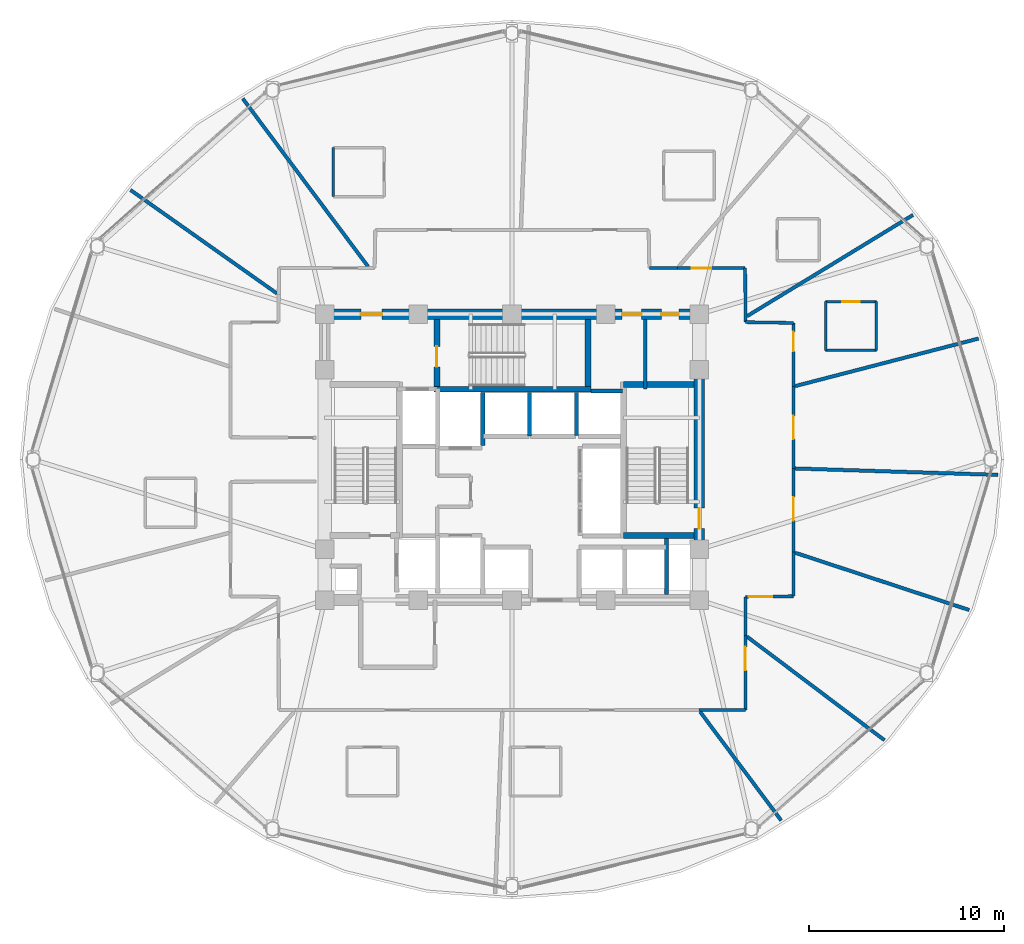
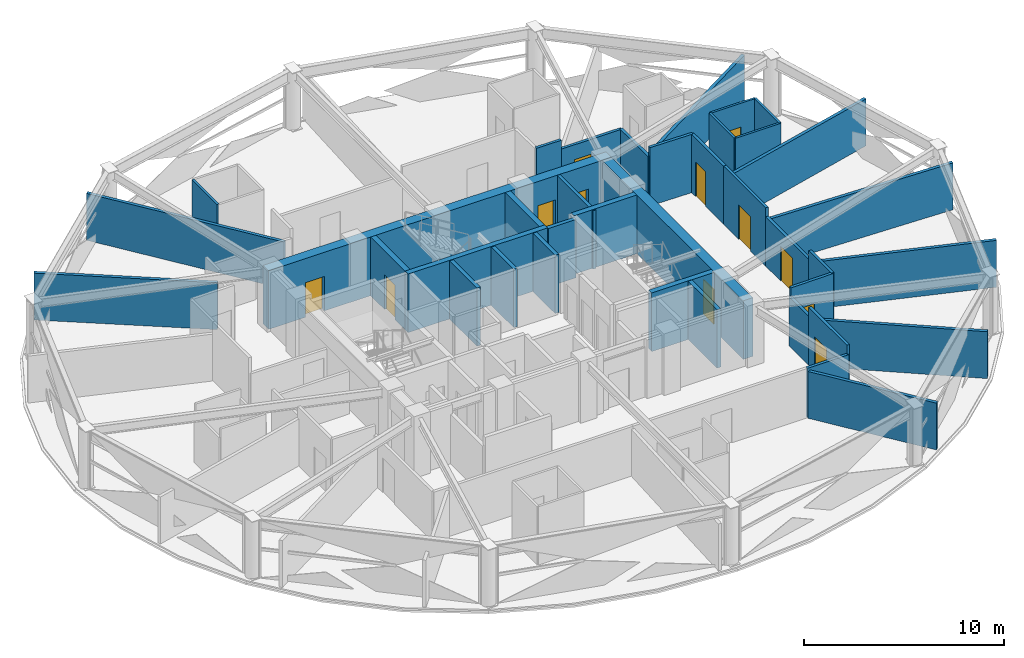
# One storey, part 24 of 29: 38 walls, 12 doors, 12 openings.
"""IFC4 building model written with IfcOpenShell, lengths in metres."""

from ifc_helpers import new_model, si_unit, direction, frame, frame_2d, origin, place, context, subcontext, project, spatial, rectangle, extrude, material, layer, layer_set, type_object, element, fill, save


model = new_model("IFC4")

# Units and contexts
model_context = context("Model", 3, precision=1e-05, world=origin(), true_north=direction((0.0, 1.0)))
body_context = subcontext(model_context, "Body", "Model", "MODEL_VIEW")
ifc_project = project(units=[si_unit("LENGTHUNIT", "METRE"), si_unit("AREAUNIT", "SQUARE_METRE"), si_unit("VOLUMEUNIT", "CUBIC_METRE"), si_unit("PLANEANGLEUNIT", "RADIAN"), si_unit("MASSUNIT", "GRAM", prefix="KILO")], contexts=[model_context])

# Site, building, storey
site_placement = place(None, origin())
site = spatial("IfcSite", under=ifc_project, at=site_placement, CompositionType="ELEMENT")
building_placement = place(site_placement, origin())
building = spatial("IfcBuilding", under=site, at=building_placement, Name="Vantalir Tower", CompositionType="ELEMENT")
storey_placement = place(building_placement, frame((0.0, 0.0, 168.449951171875)))
storey = spatial("IfcBuildingStorey", under=building, at=storey_placement, Name="L42", CompositionType="ELEMENT", Elevation=168.449951171875)

# Wall
ifc_material_1 = material(Name="Moisture-resistant en-suite partition", Category="gypsum")
ifc_layer_1 = layer(ifc_material_1, 0.125)
ifc_layer_set_1 = layer_set([ifc_layer_1], Name="Moisture-resistant en-suite partition")
wall_type_1 = type_object("IfcWallType", Name="WL-BATH-125", PredefinedType="PARTITIONING", material=ifc_layer_set_1)
wall_1_placement = place(storey_placement, frame((47.572998046875, 30.595947265625, 0.0), z_axis=(0.0, 0.0, 1.0), x_axis=(1.0, 0.0, 0.0)))
element("IfcWall", 1, at=wall_1_placement, inside=storey, type_object=wall_type_1, Name="L42 En-suite 01 South Wall", PredefinedType="PARTITIONING", context=body_context, shape_type="SweptSolid", body=[
    extrude(rectangle(XDim=2.60009765625, YDim=0.125, at=frame_2d((1.300048828125, 0.0))), origin(), (0.0, 0.0, 1.0), 3.550048828125),
])

# Wall, opening, door
wall_2_placement = place(storey_placement, frame((47.572998046875, 33.095947265625, 0.0), z_axis=(0.0, 0.0, 1.0), x_axis=(1.0, 0.0, 0.0)))
wall_2 = element("IfcWall", 2, at=wall_2_placement, inside=storey, type_object=wall_type_1, Name="L42 En-suite 01 North Wall", PredefinedType="PARTITIONING", context=body_context, shape_type="SweptSolid", body=[
    extrude(rectangle(XDim=2.60009765625, YDim=0.125, at=frame_2d((1.300048828125, 0.0))), origin(), (0.0, 0.0, 1.0), 3.550048828125),
])
opening_1_placement = place(wall_2_placement, frame((0.85009765625, 0.0, 0.0)))
opening_1 = element("IfcOpeningElement", 3, at=opening_1_placement, cuts=wall_2, Name="Opening D-WC", PredefinedType="OPENING", context=body_context, shape_type="SweptSolid", body=[
    extrude(rectangle(XDim=0.89990234375, YDim=2.10009765625, at=frame_2d((0.449951171875, 1.050048828125))), frame((0.0, 0.072509765625, 0.0), z_axis=(0.0, -1.0, 0.0), x_axis=(1.0, 0.0, 0.0)), (0.0, 0.0, 1.0), 0.14501953125),
])
ifc_material_2 = material(Name="Moisture-resistant hardwood door", Category="wood")
door_type_1 = type_object("IfcDoorType", Name="DR-ENSUITE-900", OperationType="NOTDEFINED", PredefinedType="DOOR", material=ifc_material_2)
door_1_placement = place(opening_1_placement, frame((0.89990234375, 0.0, 0.0), z_axis=(0.0, 0.0, 1.0), x_axis=(-1.0, 0.0, 0.0)))
door_1 = element("IfcDoor", 4, at=door_1_placement, inside=storey, type_object=door_type_1, Name="L42 En-suite 01 Door", OperationType="SINGLE_SWING_RIGHT", OverallHeight=2.10009765625, OverallWidth=0.89990234375, PredefinedType="DOOR", context=body_context, shape_type="SweptSolid", body=[
    extrude(rectangle(XDim=0.89990234375, YDim=2.10009765625, at=frame_2d((0.449951171875, 1.050048828125))), frame((0.0, 0.02490234375, 0.0), z_axis=(0.0, -1.0, 0.0), x_axis=(1.0, 0.0, 0.0)), (0.0, 0.0, 1.0), 0.050048828125),
])
fill(opening_1, door_1)

# Walls
for number, where, z_axis, x_axis, name in (
    (5, (47.572998046875, 30.595947265625, 0.0), (0.0, 0.0, 1.0), (0.0, 1.0, 0.0), "L42 En-suite 01 West Wall"),
    (6, (50.173095703125, 30.595947265625, 0.0), (0.0, 0.0, 1.0), (0.0, 1.0, 0.0), "L42 En-suite 01 East Wall"),
    (7, (22.34912109375, 38.47705078125, 0.0), (0.0, 0.0, 1.0), (0.0, 1.0, 0.0), "L42 En-suite 04 West Wall"),
):
    element("IfcWall", number, at=place(storey_placement, frame(where, z_axis=z_axis, x_axis=x_axis)), inside=storey, type_object=wall_type_1, Name=name, PredefinedType="PARTITIONING", context=body_context, shape_type="SweptSolid", body=[
        extrude(rectangle(XDim=2.5, YDim=0.125, at=frame_2d((1.25, 0.0))), origin(), (0.0, 0.0, 1.0), 3.550048828125),
    ])

# Wall, openings, doors
ifc_material_3 = material(Name="Concrete C60/75", Category="concrete")
ifc_layer_2 = layer(ifc_material_3, 0.550048828125)
ifc_layer_set_2 = layer_set([ifc_layer_2], Name="Concrete C60/75")
wall_type_2 = type_object("IfcWallType", Name="WL-CORE-550", PredefinedType="SHEAR", material=ifc_layer_set_2)
wall_3_placement = place(storey_placement, frame((21.625, 32.449951171875, 0.0), z_axis=(0.0, 0.0, 1.0), x_axis=(1.0, 0.0, 0.0)))
wall_3 = element("IfcWall", 8, at=wall_3_placement, inside=storey, type_object=wall_type_2, Name="L42 Core Shear Wall North", PredefinedType="SHEAR", context=body_context, shape_type="SweptSolid", body=[
    extrude(rectangle(XDim=19.75, YDim=0.550048828125, at=frame_2d((9.875, 0.0))), origin(), (0.0, 0.0, 1.0), 3.570068359375),
])
opening_2_placement = place(wall_3_placement, frame((2.125, 0.0, 0.0)))
opening_2 = element("IfcOpeningElement", 9, at=opening_2_placement, cuts=wall_3, Name="Opening D-FFL", PredefinedType="OPENING", context=body_context, shape_type="SweptSolid", body=[
    extrude(rectangle(XDim=1.10009765625, YDim=2.10009765625, at=frame_2d((0.550048828125, 1.050048828125))), frame((0.0, 0.284912109375, 0.0), z_axis=(0.0, -1.0, 0.0), x_axis=(1.0, 0.0, 0.0)), (0.0, 0.0, 1.0), 0.570068359375),
])
opening_3_placement = place(wall_3_placement, frame((15.514892578125, 0.0, 0.0)))
opening_3 = element("IfcOpeningElement", 10, at=opening_3_placement, cuts=wall_3, Name="Opening D-GUEST", PredefinedType="OPENING", context=body_context, shape_type="SweptSolid", body=[
    extrude(rectangle(XDim=1.0, YDim=2.10009765625, at=frame_2d((0.5, 1.050048828125))), frame((0.0, 0.284912109375, 0.0), z_axis=(0.0, -1.0, 0.0), x_axis=(1.0, 0.0, 0.0)), (0.0, 0.0, 1.0), 0.570068359375),
])
opening_4_placement = place(wall_3_placement, frame((17.52490234375, 0.0, 0.0)))
opening_4 = element("IfcOpeningElement", 11, at=opening_4_placement, cuts=wall_3, Name="Opening D-CR", PredefinedType="OPENING", context=body_context, shape_type="SweptSolid", body=[
    extrude(rectangle(XDim=0.89990234375, YDim=2.10009765625, at=frame_2d((0.449951171875, 1.050048828125))), frame((0.0, 0.284912109375, 0.0), z_axis=(0.0, -1.0, 0.0), x_axis=(1.0, 0.0, 0.0)), (0.0, 0.0, 1.0), 0.570068359375),
])
ifc_material_4 = material(Name="Fire-rated steel core service door", Category="steel")
door_type_2 = type_object("IfcDoorType", Name="DR-CORE-SERV-900", OperationType="NOTDEFINED", PredefinedType="DOOR", material=ifc_material_4)
door_2_placement = place(opening_4_placement, frame((0.89990234375, 0.0, 0.0), z_axis=(0.0, 0.0, 1.0), x_axis=(-1.0, 0.0, 0.0)))
door_2 = element("IfcDoor", 12, at=door_2_placement, inside=storey, type_object=door_type_2, Name="L42 Housekeeping and Linen Room Door", OperationType="SINGLE_SWING_RIGHT", OverallHeight=2.10009765625, OverallWidth=0.89990234375, PredefinedType="DOOR", context=body_context, shape_type="SweptSolid", body=[
    extrude(rectangle(XDim=0.89990234375, YDim=2.10009765625, at=frame_2d((0.449951171875, 1.050048828125))), frame((0.0, 0.02490234375, 0.0), z_axis=(0.0, -1.0, 0.0), x_axis=(1.0, 0.0, 0.0)), (0.0, 0.0, 1.0), 0.050048828125),
])
fill(opening_4, door_2)
ifc_material_5 = material(Name="Fire-rated acoustic steel door", Category="steel")
door_type_3 = type_object("IfcDoorType", Name="DR-FIRE-LOBBY-1100", OperationType="NOTDEFINED", PredefinedType="DOOR", material=ifc_material_5)
door_3_placement = place(opening_2_placement, frame((1.10009765625, 0.0, 0.0), z_axis=(0.0, 0.0, 1.0), x_axis=(-1.0, 0.0, 0.0)))
door_3 = element("IfcDoor", 13, at=door_3_placement, inside=storey, type_object=door_type_3, Name="L42 Firefighting Lobby East Access Door", OperationType="SINGLE_SWING_RIGHT", OverallHeight=2.10009765625, OverallWidth=1.10009765625, PredefinedType="DOOR", context=body_context, shape_type="SweptSolid", body=[
    extrude(rectangle(XDim=1.10009765625, YDim=2.10009765625, at=frame_2d((0.550048828125, 1.050048828125))), frame((0.0, 0.02490234375, 0.0), z_axis=(0.0, -1.0, 0.0), x_axis=(1.0, 0.0, 0.0)), (0.0, 0.0, 1.0), 0.050048828125),
])
fill(opening_2, door_3)
ifc_material_6 = material(Name="Solid-core teak veneer acoustic fire door", Category="wood")
door_type_4 = type_object("IfcDoorType", Name="DR-GUEST-ENTRY-1000", OperationType="NOTDEFINED", PredefinedType="DOOR", material=ifc_material_6)
door_4_placement = place(opening_3_placement, frame((1.0, 0.0, 0.0), z_axis=(0.0, 0.0, 1.0), x_axis=(-1.0, 0.0, 0.0)))
door_4 = element("IfcDoor", 14, at=door_4_placement, inside=storey, type_object=door_type_4, Name="L42 High-Rise Lift Lobby Door", OperationType="SINGLE_SWING_LEFT", OverallHeight=2.10009765625, OverallWidth=1.0, PredefinedType="DOOR", context=body_context, shape_type="SweptSolid", body=[
    extrude(rectangle(XDim=1.0, YDim=2.10009765625, at=frame_2d((0.5, 1.050048828125))), frame((0.0, 0.02490234375, 0.0), z_axis=(0.0, -1.0, 0.0), x_axis=(1.0, 0.0, 0.0)), (0.0, 0.0, 1.0), 0.050048828125),
])
fill(opening_3, door_4)

# Wall, opening, door
wall_4_placement = place(storey_placement, frame((41.10009765625, 18.074951171875, 0.0), z_axis=(0.0, 0.0, 1.0), x_axis=(0.0, 1.0, 0.0)))
wall_4 = element("IfcWall", 15, at=wall_4_placement, inside=storey, type_object=wall_type_2, Name="L42 Core Shear Wall East", PredefinedType="SHEAR", context=body_context, shape_type="SweptSolid", body=[
    extrude(rectangle(XDim=14.10009765625, YDim=0.550048828125, at=frame_2d((7.050048828125, 0.0))), origin(), (0.0, 0.0, 1.0), 3.570068359375),
])
opening_5_placement = place(wall_4_placement, frame((3.385009765625, 0.0, 0.0)))
opening_5 = element("IfcOpeningElement", 16, at=opening_5_placement, cuts=wall_4, Name="Opening D-ST", PredefinedType="OPENING", context=body_context, shape_type="SweptSolid", body=[
    extrude(rectangle(XDim=1.050048828125, YDim=2.10009765625, at=frame_2d((0.52490234375, 1.050048828125))), frame((0.0, 0.284912109375, 0.0), z_axis=(0.0, -1.0, 0.0), x_axis=(1.0, 0.0, 0.0)), (0.0, 0.0, 1.0), 0.570068359375),
])
ifc_material_7 = material(Name="Fire-rated steel door leaf", Category="steel")
door_type_5 = type_object("IfcDoorType", Name="DR-FIRE-STAIR-1050", OperationType="NOTDEFINED", PredefinedType="DOOR", material=ifc_material_7)
door_5_placement = place(opening_5_placement, origin())
door_5 = element("IfcDoor", 17, at=door_5_placement, inside=storey, type_object=door_type_5, Name="L42 Exit Stair ST2 Fire Door", OperationType="SINGLE_SWING_LEFT", OverallHeight=2.10009765625, OverallWidth=1.050048828125, PredefinedType="DOOR", context=body_context, shape_type="SweptSolid", body=[
    extrude(rectangle(XDim=1.050048828125, YDim=2.10009765625, at=frame_2d((0.52490234375, 1.050048828125))), frame((0.0, 0.02490234375, 0.0), z_axis=(0.0, -1.0, 0.0), x_axis=(1.0, 0.0, 0.0)), (0.0, 0.0, 1.0), 0.050048828125),
])
fill(opening_5, door_5)

# Wall
ifc_material_8 = material(Name="Fire-rated hotel corridor acoustic partition", Category="gypsum")
ifc_layer_3 = layer(ifc_material_8, 0.159912109375)
ifc_layer_set_3 = layer_set([ifc_layer_3], Name="Fire-rated hotel corridor acoustic partition")
wall_type_3 = type_object("IfcWallType", Name="WL-CORR-160", PredefinedType="PARTITIONING", material=ifc_layer_set_3)
wall_5_placement = place(storey_placement, frame((38.5400390625, 34.81494140625, 0.0), z_axis=(0.0, 0.0, 1.0), x_axis=(0.999999077601, -0.001358233043, 0.0)))
element("IfcWall", 18, at=wall_5_placement, inside=storey, type_object=wall_type_3, Name="L42 Corridor Partition 12", PredefinedType="PARTITIONING", context=body_context, shape_type="SweptSolid", body=[
    extrude(rectangle(XDim=1.43798828125, YDim=0.159912109375, at=frame_2d((0.718994140625, 0.0))), origin(), (0.0, 0.0, 1.0), 3.550048828125),
])

# Wall, opening, door
wall_6_placement = place(storey_placement, frame((39.97802734375, 34.81298828125, 0.0), z_axis=(0.0, 0.0, 1.0), x_axis=(0.999999009391, -0.001407557195, 0.0)))
wall_6 = element("IfcWall", 19, at=wall_6_placement, inside=storey, type_object=wall_type_3, Name="L42 Corridor Partition 13", PredefinedType="PARTITIONING", context=body_context, shape_type="SweptSolid", body=[
    extrude(rectangle(XDim=3.468994140625, YDim=0.159912109375, at=frame_2d((1.734375, 0.0))), origin(), (0.0, 0.0, 1.0), 3.006103515625),
])
opening_6_placement = place(wall_6_placement, frame((0.73291015625, 0.0, 0.0)))
opening_6 = element("IfcOpeningElement", 20, at=opening_6_placement, cuts=wall_6, Name="Opening D-GUEST", PredefinedType="OPENING", context=body_context, shape_type="SweptSolid", body=[
    extrude(rectangle(XDim=1.0, YDim=2.10009765625, at=frame_2d((0.5, 1.050048828125))), frame((0.0, 0.08984375, 0.0), z_axis=(0.0, -1.0, 0.0), x_axis=(1.0, 0.0, 0.0)), (0.0, 0.0, 1.0), 0.179931640625),
])
door_6_placement = place(opening_6_placement, origin())
door_6 = element("IfcDoor", 21, at=door_6_placement, inside=storey, type_object=door_type_4, Name="L42 Deluxe King Hotel Room 02 Door", OperationType="SINGLE_SWING_RIGHT", OverallHeight=2.10009765625, OverallWidth=1.0, PredefinedType="DOOR", context=body_context, shape_type="SweptSolid", body=[
    extrude(rectangle(XDim=1.0, YDim=2.10009765625, at=frame_2d((0.5, 1.050048828125))), frame((0.0, 0.02490234375, 0.0), z_axis=(0.0, -1.0, 0.0), x_axis=(1.0, 0.0, 0.0)), (0.0, 0.0, 1.0), 0.050048828125),
])
fill(opening_6, door_6)

# Walls
wall_7_placement = place(storey_placement, frame((43.447021484375, 34.80810546875, 0.0), z_axis=(0.0, 0.0, 1.0), x_axis=(0.006526585281, -0.999978701615, 0.0)))
element("IfcWall", 22, at=wall_7_placement, inside=storey, type_object=wall_type_3, Name="L42 Corridor Partition 14", PredefinedType="PARTITIONING", context=body_context, shape_type="SweptSolid", body=[
    extrude(rectangle(XDim=2.76806640625, YDim=0.159912109375, at=frame_2d((1.384033203125, 0.0))), origin(), (0.0, 0.0, 1.0), 3.006103515625),
])
wall_8_placement = place(storey_placement, frame((43.465087890625, 32.0400390625, 0.0), z_axis=(0.0, 0.0, 1.0), x_axis=(0.999867567339, -0.016274144605, 0.0)))
element("IfcWall", 23, at=wall_8_placement, inside=storey, type_object=wall_type_3, Name="L42 Corridor Partition 15", PredefinedType="PARTITIONING", context=body_context, shape_type="SweptSolid", body=[
    extrude(rectangle(XDim=2.460205078125, YDim=0.159912109375, at=frame_2d((1.22998046875, 0.0))), origin(), (0.0, 0.0, 1.0), 3.550048828125),
])

# Wall, opening, door
wall_9_placement = place(storey_placement, frame((45.925048828125, 32.0, 0.0), z_axis=(0.0, 0.0, 1.0), x_axis=(0.0, -1.0, 0.0)))
wall_9 = element("IfcWall", 24, at=wall_9_placement, inside=storey, type_object=wall_type_3, Name="L42 Corridor Partition 16", PredefinedType="PARTITIONING", context=body_context, shape_type="SweptSolid", body=[
    extrude(rectangle(XDim=3.259033203125, YDim=0.159912109375, at=frame_2d((1.62939453125, 0.0))), origin(), (0.0, 0.0, 1.0), 3.550048828125),
])
opening_7_placement = place(wall_9_placement, frame((0.4580078125, 0.0, 0.0)))
opening_7 = element("IfcOpeningElement", 25, at=opening_7_placement, cuts=wall_9, Name="Opening D-GUEST", PredefinedType="OPENING", context=body_context, shape_type="SweptSolid", body=[
    extrude(rectangle(XDim=1.0, YDim=2.10009765625, at=frame_2d((0.5, 1.050048828125))), frame((0.0, 0.08984375, 0.0), z_axis=(0.0, -1.0, 0.0), x_axis=(1.0, 0.0, 0.0)), (0.0, 0.0, 1.0), 0.179931640625),
])
door_7_placement = place(opening_7_placement, origin())
door_7 = element("IfcDoor", 26, at=door_7_placement, inside=storey, type_object=door_type_4, Name="L42 Twin Queen Hotel Room 01 Door", OperationType="SINGLE_SWING_LEFT", OverallHeight=2.10009765625, OverallWidth=1.0, PredefinedType="DOOR", context=body_context, shape_type="SweptSolid", body=[
    extrude(rectangle(XDim=1.0, YDim=2.10009765625, at=frame_2d((0.5, 1.050048828125))), frame((0.0, 0.02490234375, 0.0), z_axis=(0.0, -1.0, 0.0), x_axis=(1.0, 0.0, 0.0)), (0.0, 0.0, 1.0), 0.050048828125),
])
fill(opening_7, door_7)

wall_10_placement = place(storey_placement, frame((45.925048828125, 28.740966796875, 0.0), z_axis=(0.0, 0.0, 1.0), x_axis=(0.0, -1.0, 0.0)))
wall_10 = element("IfcWall", 27, at=wall_10_placement, inside=storey, type_object=wall_type_3, Name="L42 Corridor Partition 17", PredefinedType="PARTITIONING", context=body_context, shape_type="SweptSolid", body=[
    extrude(rectangle(XDim=4.196044921875, YDim=0.159912109375, at=frame_2d((2.09814453125, 0.0))), origin(), (0.0, 0.0, 1.0), 3.550048828125),
])
opening_8_placement = place(wall_10_placement, frame((1.498046875, 0.0, 0.0)))
opening_8 = element("IfcOpeningElement", 28, at=opening_8_placement, cuts=wall_10, Name="Opening D-STE", PredefinedType="OPENING", context=body_context, shape_type="SweptSolid", body=[
    extrude(rectangle(XDim=1.199951171875, YDim=2.10009765625, at=frame_2d((0.60009765625, 1.050048828125))), frame((0.0, 0.08984375, 0.0), z_axis=(0.0, -1.0, 0.0), x_axis=(1.0, 0.0, 0.0)), (0.0, 0.0, 1.0), 0.179931640625),
])
ifc_material_9 = material(Name="Solid-core teak veneer suite entrance door", Category="wood")
door_type_6 = type_object("IfcDoorType", Name="DR-SUITE-ENTRY-1200", OperationType="NOTDEFINED", PredefinedType="DOOR", material=ifc_material_9)
door_8_placement = place(opening_8_placement, origin())
door_8 = element("IfcDoor", 29, at=door_8_placement, inside=storey, type_object=door_type_6, Name="L42 Executive Sky Boardroom 15 Door", OperationType="SINGLE_SWING_LEFT", OverallHeight=2.10009765625, OverallWidth=1.199951171875, PredefinedType="DOOR", context=body_context, shape_type="SweptSolid", body=[
    extrude(rectangle(XDim=1.199951171875, YDim=2.10009765625, at=frame_2d((0.60009765625, 1.050048828125))), frame((0.0, 0.02490234375, 0.0), z_axis=(0.0, -1.0, 0.0), x_axis=(1.0, 0.0, 0.0)), (0.0, 0.0, 1.0), 0.050048828125),
])
fill(opening_8, door_8)

wall_11_placement = place(storey_placement, frame((45.925048828125, 24.544921875, 0.0), z_axis=(0.0, 0.0, 1.0), x_axis=(0.0, -1.0, 0.0)))
wall_11 = element("IfcWall", 30, at=wall_11_placement, inside=storey, type_object=wall_type_3, Name="L42 Corridor Partition 18", PredefinedType="PARTITIONING", context=body_context, shape_type="SweptSolid", body=[
    extrude(rectangle(XDim=4.29296875, YDim=0.159912109375, at=frame_2d((2.146484375, 0.0))), origin(), (0.0, 0.0, 1.0), 3.006103515625),
])
opening_9_placement = place(wall_11_placement, frame((1.47412109375, 0.0, 0.0)))
opening_9 = element("IfcOpeningElement", 31, at=opening_9_placement, cuts=wall_11, Name="Opening D-STE", PredefinedType="OPENING", context=body_context, shape_type="SweptSolid", body=[
    extrude(rectangle(XDim=1.199951171875, YDim=2.10009765625, at=frame_2d((0.60009765625, 1.050048828125))), frame((0.0, 0.08984375, 0.0), z_axis=(0.0, -1.0, 0.0), x_axis=(1.0, 0.0, 0.0)), (0.0, 0.0, 1.0), 0.179931640625),
])
door_9_placement = place(opening_9_placement, origin())
door_9 = element("IfcDoor", 32, at=door_9_placement, inside=storey, type_object=door_type_6, Name="L42 Club Reading Lounge 14 Door", OperationType="SINGLE_SWING_RIGHT", OverallHeight=2.10009765625, OverallWidth=1.199951171875, PredefinedType="DOOR", context=body_context, shape_type="SweptSolid", body=[
    extrude(rectangle(XDim=1.199951171875, YDim=2.10009765625, at=frame_2d((0.60009765625, 1.050048828125))), frame((0.0, 0.02490234375, 0.0), z_axis=(0.0, -1.0, 0.0), x_axis=(1.0, 0.0, 0.0)), (0.0, 0.0, 1.0), 0.050048828125),
])
fill(opening_9, door_9)

# Wall
wall_12_placement = place(storey_placement, frame((45.925048828125, 20.251953125, 0.0), z_axis=(0.0, 0.0, 1.0), x_axis=(0.0, -1.0, 0.0)))
element("IfcWall", 33, at=wall_12_placement, inside=storey, type_object=wall_type_3, Name="L42 Corridor Partition 19", PredefinedType="PARTITIONING", context=body_context, shape_type="SweptSolid", body=[
    extrude(rectangle(XDim=2.255859375, YDim=0.159912109375, at=frame_2d((1.1279296875, 0.0))), origin(), (0.0, 0.0, 1.0), 3.550048828125),
])

# Wall, opening, door
wall_13_placement = place(storey_placement, frame((45.925048828125, 17.99609375, 0.0), z_axis=(0.0, 0.0, 1.0), x_axis=(-0.999892143369, -0.014686784162, 0.0)))
wall_13 = element("IfcWall", 34, at=wall_13_placement, inside=storey, type_object=wall_type_3, Name="L42 Corridor Partition 20", PredefinedType="PARTITIONING", context=body_context, shape_type="SweptSolid", body=[
    extrude(rectangle(XDim=2.460205078125, YDim=0.159912109375, at=frame_2d((1.22998046875, 0.0))), origin(), (0.0, 0.0, 1.0), 3.550048828125),
])
opening_10_placement = place(wall_13_placement, frame((1.10009765625, 0.0, 0.0)))
opening_10 = element("IfcOpeningElement", 35, at=opening_10_placement, cuts=wall_13, Name="Opening D-STE", PredefinedType="OPENING", context=body_context, shape_type="SweptSolid", body=[
    extrude(rectangle(XDim=1.199951171875, YDim=2.10009765625, at=frame_2d((0.60009765625, 1.050048828125))), frame((0.0, 0.08984375, 0.0), z_axis=(0.0, -1.0, 0.0), x_axis=(1.0, 0.0, 0.0)), (0.0, 0.0, 1.0), 0.179931640625),
])
door_10_placement = place(opening_10_placement, origin())
door_10 = element("IfcDoor", 36, at=door_10_placement, inside=storey, type_object=door_type_6, Name="L42 Club Reading Lounge 13 Door", OperationType="SINGLE_SWING_LEFT", OverallHeight=2.10009765625, OverallWidth=1.199951171875, PredefinedType="DOOR", context=body_context, shape_type="SweptSolid", body=[
    extrude(rectangle(XDim=1.199951171875, YDim=2.10009765625, at=frame_2d((0.60009765625, 1.050048828125))), frame((0.0, 0.02490234375, 0.0), z_axis=(0.0, -1.0, 0.0), x_axis=(1.0, 0.0, 0.0)), (0.0, 0.0, 1.0), 0.050048828125),
])
fill(opening_10, door_10)

# Wall
wall_14_placement = place(storey_placement, frame((43.465087890625, 17.9599609375, 0.0), z_axis=(0.0, 0.0, 1.0), x_axis=(-0.001113722858, -0.999999379811, 0.0)))
element("IfcWall", 37, at=wall_14_placement, inside=storey, type_object=wall_type_3, Name="L42 Corridor Partition 21", PredefinedType="PARTITIONING", context=body_context, shape_type="SweptSolid", body=[
    extrude(rectangle(XDim=1.972900390625, YDim=0.159912109375, at=frame_2d((0.986328125, 0.0))), origin(), (0.0, 0.0, 1.0), 3.006103515625),
])

# Wall, opening, door
wall_15_placement = place(storey_placement, frame((43.462890625, 15.987060546875, 0.0), z_axis=(0.0, 0.0, 1.0), x_axis=(-0.001278526092, -0.999999182685, 0.0)))
wall_15 = element("IfcWall", 38, at=wall_15_placement, inside=storey, type_object=wall_type_3, Name="L42 Corridor Partition 22", PredefinedType="PARTITIONING", context=body_context, shape_type="SweptSolid", body=[
    extrude(rectangle(XDim=3.819091796875, YDim=0.159912109375, at=frame_2d((1.90966796875, 0.0))), origin(), (0.0, 0.0, 1.0), 3.550048828125),
])
opening_11_placement = place(wall_15_placement, frame((0.591064453125, 0.0, 0.0)))
opening_11 = element("IfcOpeningElement", 39, at=opening_11_placement, cuts=wall_15, Name="Opening D-STE", PredefinedType="OPENING", context=body_context, shape_type="SweptSolid", body=[
    extrude(rectangle(XDim=1.199951171875, YDim=2.10009765625, at=frame_2d((0.60009765625, 1.050048828125))), frame((0.0, 0.08984375, 0.0), z_axis=(0.0, -1.0, 0.0), x_axis=(1.0, 0.0, 0.0)), (0.0, 0.0, 1.0), 0.179931640625),
])
door_11_placement = place(opening_11_placement, origin())
door_11 = element("IfcDoor", 40, at=door_11_placement, inside=storey, type_object=door_type_6, Name="L42 Executive Business Study 12 Door", OperationType="SINGLE_SWING_RIGHT", OverallHeight=2.10009765625, OverallWidth=1.199951171875, PredefinedType="DOOR", context=body_context, shape_type="SweptSolid", body=[
    extrude(rectangle(XDim=1.199951171875, YDim=2.10009765625, at=frame_2d((0.60009765625, 1.050048828125))), frame((0.0, 0.02490234375, 0.0), z_axis=(0.0, -1.0, 0.0), x_axis=(1.0, 0.0, 0.0)), (0.0, 0.0, 1.0), 0.050048828125),
])
fill(opening_11, door_11)

# Walls
wall_16_placement = place(storey_placement, frame((43.4580078125, 12.16796875, 0.0), z_axis=(0.0, 0.0, 1.0), x_axis=(-0.99999991624, -0.000409290869, 0.0)))
element("IfcWall", 41, at=wall_16_placement, inside=storey, type_object=wall_type_3, Name="L42 Corridor Partition 23", PredefinedType="PARTITIONING", context=body_context, shape_type="SweptSolid", body=[
    extrude(rectangle(XDim=2.385986328125, YDim=0.159912109375, at=frame_2d((1.19287109375, 0.0))), origin(), (0.0, 0.0, 1.0), 3.006103515625),
])
ifc_material_10 = material(Name="Concrete blockwork with fireboard lining", Category="masonry")
ifc_layer_4 = layer(ifc_material_10, 0.219970703125)
ifc_layer_set_4 = layer_set([ifc_layer_4], Name="Concrete blockwork with fireboard lining")
wall_type_4 = type_object("IfcWallType", Name="WL-FFL-220", PredefinedType="PARTITIONING", material=ifc_layer_set_4)
wall_17_placement = place(storey_placement, frame((30.0, 25.7099609375, 0.0), z_axis=(0.0, 0.0, 1.0), x_axis=(0.0, 1.0, 0.0)))
element("IfcWall", 42, at=wall_17_placement, inside=storey, type_object=wall_type_4, Name="L42 Service Lift SV2 East Shaft Wall", PredefinedType="PARTITIONING", context=body_context, shape_type="SweptSolid", body=[
    extrude(rectangle(XDim=2.72998046875, YDim=0.219970703125, at=frame_2d((1.364990234375, 0.0))), origin(), (0.0, 0.0, 1.0), 3.545166015625),
])
wall_18_placement = place(storey_placement, frame((32.39990234375, 26.199951171875, 0.0), z_axis=(0.0, 0.0, 1.0), x_axis=(0.0, 1.0, 0.0)))
element("IfcWall", 43, at=wall_18_placement, inside=storey, type_object=wall_type_4, Name="L42 High-Rise Lift PL-H1/H2 Shaft Divider", PredefinedType="PARTITIONING", context=body_context, shape_type="SweptSolid", body=[
    extrude(rectangle(XDim=2.239990234375, YDim=0.219970703125, at=frame_2d((1.1201171875, 0.0))), origin(), (0.0, 0.0, 1.0), 3.545166015625),
])
wall_19_placement = place(storey_placement, frame((34.800048828125, 26.22998046875, 0.0), z_axis=(0.0, 0.0, 1.0), x_axis=(0.0, 1.0, 0.0)))
element("IfcWall", 44, at=wall_19_placement, inside=storey, type_object=wall_type_4, Name="L42 High-Rise Lift PL-H2/H3 Shaft Divider", PredefinedType="PARTITIONING", context=body_context, shape_type="SweptSolid", body=[
    extrude(rectangle(XDim=2.2099609375, YDim=0.219970703125, at=frame_2d((1.10498046875, 0.0))), origin(), (0.0, 0.0, 1.0), 3.545166015625),
])
wall_20_placement = place(storey_placement, frame((39.419921875, 18.074951171875, 0.0), z_axis=(0.0, 0.0, 1.0), x_axis=(0.0, 1.0, 0.0)))
element("IfcWall", 45, at=wall_20_placement, inside=storey, type_object=wall_type_4, Name="L42 East MEP Riser Wall W", PredefinedType="PARTITIONING", context=body_context, shape_type="SweptSolid", body=[
    extrude(rectangle(XDim=2.875, YDim=0.219970703125, at=frame_2d((1.4375, 0.0))), origin(), (0.0, 0.0, 1.0), 3.550048828125),
])
wall_21_placement = place(storey_placement, frame((35.56005859375, 28.510009765625, 0.0), z_axis=(0.0, 0.0, 1.0), x_axis=(1.0, 0.0, 0.0)))
element("IfcWall", 46, at=wall_21_placement, inside=storey, type_object=wall_type_4, Name="L42 Lift PL-H3 Shaft Front Wall", PredefinedType="PARTITIONING", context=body_context, shape_type="SweptSolid", body=[
    extrude(rectangle(XDim=1.599853515625, YDim=0.219970703125, at=frame_2d((0.7998046875, 0.0))), origin(), (0.0, 0.0, 1.0), 3.550048828125),
])
ifc_material_11 = material(Name="Twin-stud acoustic fire-rated gypsum partition", Category="gypsum")
ifc_layer_5 = layer(ifc_material_11, 0.179931640625)
ifc_layer_set_5 = layer_set([ifc_layer_5], Name="Twin-stud acoustic fire-rated gypsum partition")
wall_type_5 = type_object("IfcWallType", Name="WL-GUEST-180", PredefinedType="PARTITIONING", material=ifc_layer_set_5)
wall_22_placement = place(storey_placement, frame((38.340087890625, 28.6201171875, 0.0), z_axis=(0.0, 0.0, 1.0), x_axis=(0.0, 1.0, 0.0)))
element("IfcWall", 47, at=wall_22_placement, inside=storey, type_object=wall_type_5, Name="L42 High-Rise Lift Lobby East Wall", PredefinedType="PARTITIONING", context=body_context, shape_type="SweptSolid", body=[
    extrude(rectangle(XDim=3.554931640625, YDim=0.179931640625, at=frame_2d((1.77734375, 0.0))), origin(), (0.0, 0.0, 1.0), 3.550048828125),
])
wall_23_placement = place(storey_placement, frame((46.0, 28.760009765625, 0.0), z_axis=(0.0, 0.0, 1.0), x_axis=(0.96796954255, 0.251067649639, 0.0)))
element("IfcWall", 48, at=wall_23_placement, inside=storey, type_object=wall_type_5, Name="L42 Radial Suite Partition 01", PredefinedType="PARTITIONING", context=body_context, shape_type="SweptSolid", body=[
    extrude(rectangle(XDim=9.71826171875, YDim=0.179931640625, at=frame_2d((4.859130859375, 0.0))), origin(), (0.0, 0.0, 1.0), 2.85205078125),
])
wall_24_placement = place(storey_placement, frame((43.5400390625, 32.343994140625, 0.0), z_axis=(0.0, 0.0, 1.0), x_axis=(0.853711993856, 0.520745457537, 0.0)))
element("IfcWall", 49, at=wall_24_placement, inside=storey, type_object=wall_type_5, Name="L42 Radial Suite Partition 02", PredefinedType="PARTITIONING", context=body_context, shape_type="SweptSolid", body=[
    extrude(rectangle(XDim=9.96826171875, YDim=0.179931640625, at=frame_2d((4.984130859375, 0.0))), origin(), (0.0, 0.0, 1.0), 2.85205078125),
])
wall_25_placement = place(storey_placement, frame((24.123046875, 34.889892578125, 0.0), z_axis=(0.0, 0.0, 1.0), x_axis=(-0.597869450308, 0.80159348824, 0.0)))
element("IfcWall", 50, at=wall_25_placement, inside=storey, type_object=wall_type_5, Name="L42 Radial Suite Partition 05", PredefinedType="PARTITIONING", context=body_context, shape_type="SweptSolid", body=[
    extrude(rectangle(XDim=10.736328125, YDim=0.179931640625, at=frame_2d((5.3681640625, 0.0))), origin(), (0.0, 0.0, 1.0), 2.85205078125),
])
wall_26_placement = place(storey_placement, frame((19.4599609375, 33.507080078125, 0.0), z_axis=(0.0, 0.0, 1.0), x_axis=(-0.816740398998, 0.577005303827, 0.0)))
element("IfcWall", 51, at=wall_26_placement, inside=storey, type_object=wall_type_5, Name="L42 Radial Suite Partition 06", PredefinedType="PARTITIONING", context=body_context, shape_type="SweptSolid", body=[
    extrude(rectangle(XDim=9.19384765625, YDim=0.179931640625, at=frame_2d((4.596923828125, 0.0))), origin(), (0.0, 0.0, 1.0), 2.85205078125),
])
wall_27_placement = place(storey_placement, frame((41.139892578125, 12.074951171875, 0.0), z_axis=(0.0, 0.0, 1.0), x_axis=(0.597946680124, -0.8015358805, 0.0)))
element("IfcWall", 52, at=wall_27_placement, inside=storey, type_object=wall_type_5, Name="L42 Radial Suite Partition 12", PredefinedType="PARTITIONING", context=body_context, shape_type="SweptSolid", body=[
    extrude(rectangle(XDim=6.950439453125, YDim=0.179931640625, at=frame_2d((3.47509765625, 0.0))), origin(), (0.0, 0.0, 1.0), 2.85205078125),
])
wall_28_placement = place(storey_placement, frame((43.5400390625, 15.927978515625, 0.0), z_axis=(0.0, 0.0, 1.0), x_axis=(0.798722893144, -0.601699044347, 0.0)))
element("IfcWall", 53, at=wall_28_placement, inside=storey, type_object=wall_type_5, Name="L42 Radial Suite Partition 13", PredefinedType="PARTITIONING", context=body_context, shape_type="SweptSolid", body=[
    extrude(rectangle(XDim=8.821533203125, YDim=0.179931640625, at=frame_2d((4.41064453125, 0.0))), origin(), (0.0, 0.0, 1.0), 2.85205078125),
])
wall_29_placement = place(storey_placement, frame((46.0, 20.22705078125, 0.0), z_axis=(0.0, 0.0, 1.0), x_axis=(0.949880965401, -0.312611822502, 0.0)))
element("IfcWall", 54, at=wall_29_placement, inside=storey, type_object=wall_type_5, Name="L42 Radial Suite Partition 14", PredefinedType="PARTITIONING", context=body_context, shape_type="SweptSolid", body=[
    extrude(rectangle(XDim=9.404541015625, YDim=0.179931640625, at=frame_2d((4.7021484375, 0.0))), origin(), (0.0, 0.0, 1.0), 2.85205078125),
])
wall_30_placement = place(storey_placement, frame((46.0, 24.5419921875, 0.0), z_axis=(0.0, 0.0, 1.0), x_axis=(0.999504152782, -0.031487276329, 0.0)))
element("IfcWall", 55, at=wall_30_placement, inside=storey, type_object=wall_type_5, Name="L42 Radial Suite Partition 15", PredefinedType="PARTITIONING", context=body_context, shape_type="SweptSolid", body=[
    extrude(rectangle(XDim=10.4130859375, YDim=0.179931640625, at=frame_2d((5.20654296875, 0.0))), origin(), (0.0, 0.0, 1.0), 2.85205078125),
])
ifc_material_12 = material(Name="Concrete C50/60", Category="concrete")
ifc_layer_6 = layer(ifc_material_12, 0.300048828125)
ifc_layer_set_6 = layer_set([ifc_layer_6], Name="Concrete C50/60")
wall_type_6 = type_object("IfcWallType", Name="WL-STAIR-300", PredefinedType="SHEAR", material=ifc_layer_set_6)
for number, where, z_axis, x_axis, name in (
    (56, (37.2099609375, 21.10009765625, 0.0), (0.0, 0.0, 1.0), (1.0, 0.0, 0.0), "L42 Stair ST2 South Wall"),
    (57, (37.2099609375, 28.85009765625, 0.0), (0.0, 0.0, 1.0), (1.0, 0.0, 0.0), "L42 Stair ST2 North Wall"),
):
    element("IfcWall", number, at=place(storey_placement, frame(where, z_axis=z_axis, x_axis=x_axis)), inside=storey, type_object=wall_type_6, Name=name, PredefinedType="SHEAR", context=body_context, shape_type="SweptSolid", body=[
        extrude(rectangle(XDim=3.614990234375, YDim=0.300048828125, at=frame_2d((1.8076171875, 0.0))), origin(), (0.0, 0.0, 1.0), 3.570068359375),
    ])
wall_31_placement = place(storey_placement, frame((27.510009765625, 28.60009765625, 0.0), z_axis=(0.0, 0.0, 1.0), x_axis=(1.0, 0.0, 0.0)))
element("IfcWall", 58, at=wall_31_placement, inside=storey, type_object=wall_type_6, Name="L42 Stair ST3 South Wall", PredefinedType="SHEAR", context=body_context, shape_type="SweptSolid", body=[
    extrude(rectangle(XDim=8.030029296875, YDim=0.300048828125, at=frame_2d((4.01513671875, 0.0))), origin(), (0.0, 0.0, 1.0), 3.570068359375),
])

# Wall, opening, door
wall_32_placement = place(storey_placement, frame((27.64990234375, 28.75, 0.0), z_axis=(0.0, 0.0, 1.0), x_axis=(0.0, 1.0, 0.0)))
wall_32 = element("IfcWall", 59, at=wall_32_placement, inside=storey, type_object=wall_type_6, Name="L42 Stair ST3 West Wall", PredefinedType="SHEAR", context=body_context, shape_type="SweptSolid", body=[
    extrude(rectangle(XDim=3.425048828125, YDim=0.300048828125, at=frame_2d((1.71240234375, 0.0))), origin(), (0.0, 0.0, 1.0), 3.570068359375),
])
opening_12_placement = place(wall_32_placement, frame((1.0, 0.0, 0.0)))
opening_12 = element("IfcOpeningElement", 60, at=opening_12_placement, cuts=wall_32, Name="Opening D-ST", PredefinedType="OPENING", context=body_context, shape_type="SweptSolid", body=[
    extrude(rectangle(XDim=1.050048828125, YDim=2.10009765625, at=frame_2d((0.52490234375, 1.050048828125))), frame((0.0, 0.159912109375, 0.0), z_axis=(0.0, -1.0, 0.0), x_axis=(1.0, 0.0, 0.0)), (0.0, 0.0, 1.0), 0.320068359375),
])
door_12_placement = place(opening_12_placement, frame((1.050048828125, 0.0, 0.0), z_axis=(0.0, 0.0, 1.0), x_axis=(-1.0, 0.0, 0.0)))
door_12 = element("IfcDoor", 61, at=door_12_placement, inside=storey, type_object=door_type_5, Name="L42 Exit Stair ST3 Fire Door", OperationType="SINGLE_SWING_LEFT", OverallHeight=2.10009765625, OverallWidth=1.050048828125, PredefinedType="DOOR", context=body_context, shape_type="SweptSolid", body=[
    extrude(rectangle(XDim=1.050048828125, YDim=2.10009765625, at=frame_2d((0.52490234375, 1.050048828125))), frame((0.0, 0.02490234375, 0.0), z_axis=(0.0, -1.0, 0.0), x_axis=(1.0, 0.0, 0.0)), (0.0, 0.0, 1.0), 0.050048828125),
])
fill(opening_12, door_12)

# Wall
wall_33_placement = place(storey_placement, frame((35.39990234375, 28.75, 0.0), z_axis=(0.0, 0.0, 1.0), x_axis=(0.0, 1.0, 0.0)))
element("IfcWall", 62, at=wall_33_placement, inside=storey, type_object=wall_type_6, Name="L42 Stair ST3 East Wall", PredefinedType="SHEAR", context=body_context, shape_type="SweptSolid", body=[
    extrude(rectangle(XDim=3.425048828125, YDim=0.300048828125, at=frame_2d((1.71240234375, 0.0))), origin(), (0.0, 0.0, 1.0), 3.570068359375),
])

save(model, "model.ifc")
